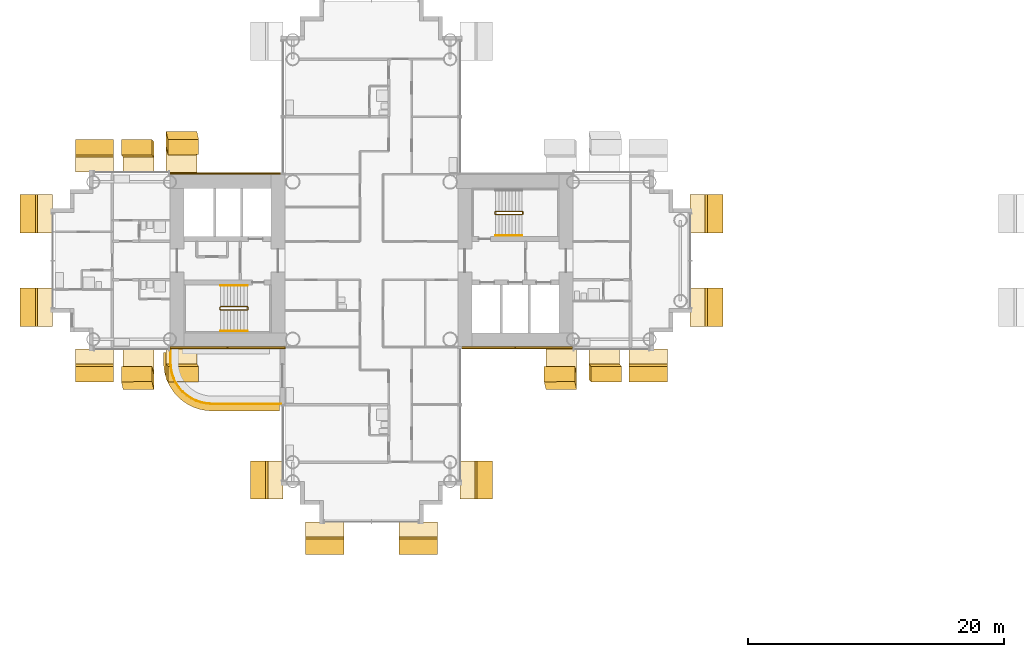
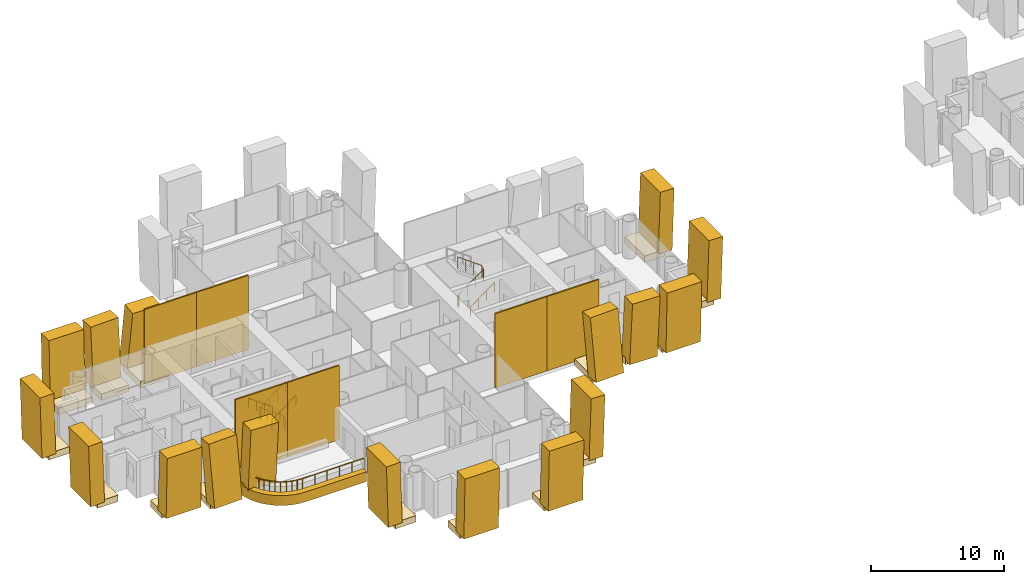
# One storey, part 22 of 25: 41 coverings, 6 railings.
"""IFC4 building model written with IfcOpenShell, lengths in metres."""

import ifcopenshell
import ifcopenshell.guid

model = None  # the IFC model being written
_history = None  # IfcOwnerHistory: only IFC2X3 demands one
_inside = {}  # id of a spatial element -> (the spatial element, [elements in it])
_under = {}  # id of a project, library or spatial element -> (it, [spatial elements below it])
_declared = {}  # id of a project -> (the project, [libraries it declares])
_typed = {}  # id of a type object -> (the type object, [elements of that type])
_made_of = {}  # id of a material, layer set ... -> (it, [elements and type objects made of it])


def new_model(schema):
    """Start an empty IFC model of exactly this schema.

    Asked for "IFC4X3", IfcOpenShell would pick the latest addendum, in which some entities
    have other attributes; the version numbers below select the first issue.
    IFC2X3 requires an IfcOwnerHistory on every rooted entity: one is made here for all.
    """
    global model, _history
    if schema == "IFC4X3":
        model = ifcopenshell.file(schema_version=(4, 3, 0, 0))
    else:
        model = ifcopenshell.file(schema=schema)
    _inside.clear()
    _under.clear()
    _declared.clear()
    _typed.clear()
    _made_of.clear()
    _history = None
    if model.schema == "IFC2X3":
        org = make("IfcOrganization", Name="unknown")
        user = make(
            "IfcPersonAndOrganization",
            ThePerson=make("IfcPerson", FamilyName="unknown"),
            TheOrganization=org,
        )
        app = make(
            "IfcApplication",
            ApplicationDeveloper=org,
            Version="unknown",
            ApplicationFullName="unknown",
            ApplicationIdentifier="unknown",
        )
        _history = make(
            "IfcOwnerHistory",
            OwningUser=user,
            OwningApplication=app,
            ChangeAction="ADDED",
            CreationDate=0,
        )
    return model


def make(cls, **values):
    """One entity of the class cls with the attributes given. An attribute that is None is left unset."""
    return model.create_entity(
        cls, **{name: value for name, value in values.items() if value is not None}
    )


def rooted(cls, **values):
    """An entity with a GlobalId (a new one), such as an element, a storey or a relation."""
    return make(cls, GlobalId=ifcopenshell.guid.new(), OwnerHistory=_history, **values)


def si_unit(unit_type, name, prefix=None):
    """IfcSIUnit, for example si_unit("LENGTHUNIT", "METRE", prefix="MILLI")."""
    return make("IfcSIUnit", UnitType=unit_type, Prefix=prefix, Name=name)


def assignment(units):
    """IfcUnitAssignment: the units of a project."""
    return None if units is None else make("IfcUnitAssignment", Units=units)


def point(xyz):
    """IfcCartesianPoint."""
    return None if xyz is None else make("IfcCartesianPoint", Coordinates=xyz)


def direction(xyz):
    """IfcDirection."""
    return None if xyz is None else make("IfcDirection", DirectionRatios=xyz)


def frame(location, z_axis=None, x_axis=None):
    """IfcAxis2Placement3D, a coordinate frame: its origin and axes. An axis left out is left unset."""
    return make(
        "IfcAxis2Placement3D",
        Location=point(location),
        Axis=direction(z_axis),
        RefDirection=direction(x_axis),
    )


def frame_2d(location, x_axis=None):
    """IfcAxis2Placement2D, a coordinate frame in the plane: its origin and x axis."""
    return make(
        "IfcAxis2Placement2D", Location=point(location), RefDirection=direction(x_axis)
    )


def origin():
    """The frame at (0, 0, 0) with its axes left unset."""
    return frame((0.0, 0.0, 0.0))


def origin_2d():
    """The frame at (0, 0) in the plane with its x axis left unset."""
    return frame_2d((0.0, 0.0))


def place(relative_to, where):
    """IfcLocalPlacement: puts the frame where relative to a parent placement (None: the world)."""
    return make(
        "IfcLocalPlacement", PlacementRelTo=relative_to, RelativePlacement=where
    )


def context(
    kind, dimensions, precision=None, world=None, true_north=None, identifier=None
):
    """IfcGeometricRepresentationContext, for example the 3D "Model" context."""
    return make(
        "IfcGeometricRepresentationContext",
        ContextIdentifier=identifier,
        ContextType=kind,
        CoordinateSpaceDimension=dimensions,
        Precision=precision,
        WorldCoordinateSystem=world,
        TrueNorth=true_north,
    )


def subcontext(parent, identifier, kind, view, scale=None):
    """IfcGeometricRepresentationSubContext, for example "Body" below "Model"."""
    return make(
        "IfcGeometricRepresentationSubContext",
        ContextIdentifier=identifier,
        ContextType=kind,
        ParentContext=parent,
        TargetScale=scale,
        TargetView=view,
    )


def project(units=None, contexts=None):
    """IfcProject with its units and contexts."""
    return rooted(
        "IfcProject",
        Name="project",
        RepresentationContexts=contexts,
        UnitsInContext=assignment(units),
    )


def spatial(cls, under=None, at=None, **own):
    """A site, building, storey or space (cls), placed at a placement, below another one or the project."""
    s = rooted(cls, ObjectPlacement=at, **own)
    if under is not None:
        _under.setdefault(under.id(), (under, []))[1].append(s)
    return s


def polyline(points):
    """IfcPolyline through the points."""
    return make("IfcPolyline", Points=[point(p) for p in points])


def profile(cls, at=None, kind="AREA", **sizes):
    """A parametric profile (cls). Its sizes go by their IFC names, for example OverallWidth=200.0."""
    return make(cls, ProfileType=kind, Position=at, **sizes)


def rectangle(**sizes):
    """IfcRectangleProfileDef."""
    return profile("IfcRectangleProfileDef", **sizes)


def circle(**sizes):
    """IfcCircleProfileDef."""
    return profile("IfcCircleProfileDef", **sizes)


def outline(outer, holes=None, kind="AREA"):
    """IfcArbitraryClosedProfileDef: a profile drawn as a closed curve; with holes, ...WithVoids."""
    if holes is None:
        return make("IfcArbitraryClosedProfileDef", ProfileType=kind, OuterCurve=outer)
    return make(
        "IfcArbitraryProfileDefWithVoids",
        ProfileType=kind,
        OuterCurve=outer,
        InnerCurves=holes,
    )


def extrude(swept, where, along, depth):
    """IfcExtrudedAreaSolid: the profile swept, set in the frame where, extruded along a direction by depth."""
    return make(
        "IfcExtrudedAreaSolid",
        SweptArea=swept,
        Position=where,
        ExtrudedDirection=direction(along),
        Depth=depth,
    )


def shape(context_of_items, identifier, shape_type, items):
    """IfcShapeRepresentation: the items that make up one representation, for example the "Body"."""
    return make(
        "IfcShapeRepresentation",
        ContextOfItems=context_of_items,
        RepresentationIdentifier=identifier,
        RepresentationType=shape_type,
        Items=items,
    )


def material(Name=None, Category=None):
    """IfcMaterial."""
    return make("IfcMaterial", Name=Name, Category=Category)


def layer(
    of_material, thickness, ventilated=None, Name=None, Category=None, Priority=None
):
    """IfcMaterialLayer: one layer of a wall or slab, of a material (None: an air gap)."""
    return make(
        "IfcMaterialLayer",
        Material=of_material,
        LayerThickness=thickness,
        IsVentilated=ventilated,
        Name=Name,
        Category=Category,
        Priority=Priority,
    )


def layer_set(layers, Name=None):
    """IfcMaterialLayerSet."""
    return make("IfcMaterialLayerSet", MaterialLayers=layers, LayerSetName=Name)


def material_profile(
    of_material, cross_section, Name=None, Category=None, Priority=None
):
    """IfcMaterialProfile: a cross section and its material."""
    return make(
        "IfcMaterialProfile",
        Name=Name,
        Material=of_material,
        Profile=cross_section,
        Priority=Priority,
        Category=Category,
    )


def profile_set(profiles, Name=None, composite=None):
    """IfcMaterialProfileSet."""
    return make(
        "IfcMaterialProfileSet",
        Name=Name,
        MaterialProfiles=profiles,
        CompositeProfile=composite,
    )


def made_of(thing, what):
    """Note that an element or type object is made of a material, layer set ...; save() writes the relation."""
    if what is not None:
        _made_of.setdefault(what.id(), (what, []))[1].append(thing)
    return thing


def type_object(cls, material=None, **own):
    """A type object (cls), such as IfcWallType, which elements share."""
    return made_of(rooted(cls, **own), material)


def element(
    cls,
    number,
    at=None,
    inside=None,
    cuts=None,
    type_object=None,
    material=None,
    context=None,
    identifier="Body",
    shape_type=None,
    held_by="IfcProductDefinitionShape",
    body=None,
    shapes=None,
    **own,
):
    """One element of the class cls, such as IfcWall. Its Tag is "e" and its number.

    at: its placement. inside: the storey or other place that contains it. cuts: it is an
    opening in that element (IfcRelVoidsElement). A single representation is given by context,
    identifier, shape_type and body (its items); several are given by shapes. held_by: the class
    of the entity that holds the representations. save() writes the other relations.
    """
    e = rooted(cls, Tag="e%d" % number, ObjectPlacement=at, **own)
    if body is not None:
        shapes = [shape(context, identifier, shape_type, body)]
    if shapes is not None:
        e.Representation = make(held_by, Representations=shapes)
    if inside is not None:
        _inside.setdefault(inside.id(), (inside, []))[1].append(e)
    if cuts is not None:
        rooted(
            "IfcRelVoidsElement", RelatingBuildingElement=cuts, RelatedOpeningElement=e
        )
    if type_object is not None:
        _typed.setdefault(type_object.id(), (type_object, []))[1].append(e)
    return made_of(e, material)


def aggregate(whole, parts):
    """IfcRelAggregates: a whole, such as a stair, and the parts it consists of."""
    return rooted("IfcRelAggregates", RelatingObject=whole, RelatedObjects=parts)


def save(model, path):
    """Write the relations noted so far, then the file.

    IfcRelAggregates (storeys below a building ...), IfcRelContainedInSpatialStructure (elements
    in a storey), IfcRelDefinesByType, IfcRelAssociatesMaterial and IfcRelDeclares: one each for
    every whole, place, type object, material and project.
    """
    for whole, parts in _under.values():
        aggregate(whole, parts)
    for where, things in _inside.values():
        rooted(
            "IfcRelContainedInSpatialStructure",
            RelatedElements=things,
            RelatingStructure=where,
        )
    for kind, things in _typed.values():
        rooted("IfcRelDefinesByType", RelatedObjects=things, RelatingType=kind)
    for what, things in _made_of.values():
        rooted("IfcRelAssociatesMaterial", RelatedObjects=things, RelatingMaterial=what)
    for by, libraries in _declared.values():
        rooted("IfcRelDeclares", RelatingContext=by, RelatedDefinitions=libraries)
    model.write(path)


model = new_model("IFC4")

# Units and contexts
model_context = context("Model", 3, precision=1e-05, world=origin(), true_north=direction((0.0, 1.0)))
body_context = subcontext(model_context, "Body", "Model", "MODEL_VIEW")
ifc_project = project(units=[si_unit("LENGTHUNIT", "METRE"), si_unit("AREAUNIT", "SQUARE_METRE"), si_unit("VOLUMEUNIT", "CUBIC_METRE"), si_unit("PLANEANGLEUNIT", "RADIAN"), si_unit("MASSUNIT", "GRAM", prefix="KILO")], contexts=[model_context])

# Site, building, storey
site_placement = place(None, origin())
site = spatial("IfcSite", under=ifc_project, at=site_placement, CompositionType="ELEMENT")
building_placement = place(site_placement, origin())
building = spatial("IfcBuilding", under=site, at=building_placement, Name="Ipe Terrace Towers", CompositionType="ELEMENT")
storey_placement = place(building_placement, frame((0.0, 0.0, 65.300048828125)))
storey = spatial("IfcBuildingStorey", under=building, at=storey_placement, Name="L17", CompositionType="ELEMENT", Elevation=65.300048828125)

# Railing
ifc_material_1 = material(Name="Stainless steel S316", Category="steel")
railing_type_1 = type_object("IfcRailingType", Name="GUARD 1100", PredefinedType="BALUSTRADE", material=ifc_material_1)
railing_1_placement = place(storey_placement, frame((-51.699951171875, -7.070068359375, -0.02001953125)))
element("IfcRailing", 1, at=railing_1_placement, inside=storey, type_object=railing_type_1, Name="guard", PredefinedType="BALUSTRADE", context=body_context, shape_type="SweptSolid", body=[
    extrude(circle(Radius=0.02392578125, at=origin_2d()), frame((0.0, 0.0, 1.076171875), z_axis=(0.0, -1.0, 0.0), x_axis=(1.0, 0.0, 0.0)), (0.0, 0.0, 1.0), 0.8779296875),
    extrude(circle(Radius=0.02392578125, at=origin_2d()), frame((0.0, -0.8779296875, 1.076171875), z_axis=(0.065190546171, -0.997872833927, 0.0), x_axis=(0.997872833927, 0.065190546171, 0.0)), (0.0, 0.0, 1.0), 0.427001953125),
    extrude(circle(Radius=0.02392578125, at=origin_2d()), frame((0.02783203125, -1.303955078125, 1.076171875), z_axis=(0.195232649896, -0.980756958892, 0.0), x_axis=(0.980756958892, 0.195232649896, 0.0)), (0.0, 0.0, 1.0), 0.42529296875),
    extrude(circle(Radius=0.02392578125, at=origin_2d()), frame((0.11083984375, -1.720947265625, 1.076171875), z_axis=(0.320184280026, -0.947355280148, 0.0), x_axis=(0.947355280148, 0.320184280026, 0.0)), (0.0, 0.0, 1.0), 0.425537109375),
    extrude(circle(Radius=0.02392578125, at=origin_2d()), frame((0.2470703125, -2.1240234375, 1.076171875), z_axis=(0.444455160923, -0.895801099535, 0.0), x_axis=(0.895801099535, 0.444455160923, 0.0)), (0.0, 0.0, 1.0), 0.425048828125),
    extrude(circle(Radius=0.02392578125, at=origin_2d()), frame((0.43603515625, -2.5048828125, 1.076171875), z_axis=(0.55549616226, -0.83151910003, 0.0), x_axis=(0.83151910003, 0.55549616226, 0.0)), (0.0, 0.0, 1.0), 0.424560546875),
    extrude(circle(Radius=0.02392578125, at=origin_2d()), frame((0.671875, -2.85791015625, 1.076171875), z_axis=(0.658463964434, -0.752612255774, 0.0), x_axis=(0.752612255774, 0.658463964434, 0.0)), (0.0, 0.0, 1.0), 0.42529296875),
    extrude(circle(Radius=0.02392578125, at=origin_2d()), frame((0.951904296875, -3.177978515625, 1.076171875), z_axis=(0.752612255774, -0.658463964434, 0.0), x_axis=(0.658463964434, 0.752612255774, 0.0)), (0.0, 0.0, 1.0), 0.42529296875),
    extrude(circle(Radius=0.02392578125, at=origin_2d()), frame((1.27197265625, -3.4580078125, 1.076171875), z_axis=(0.83151910003, -0.55549616226, 0.0), x_axis=(0.55549616226, 0.83151910003, 0.0)), (0.0, 0.0, 1.0), 0.424560546875),
    extrude(circle(Radius=0.02392578125, at=origin_2d()), frame((1.625, -3.69384765625, 1.076171875), z_axis=(0.895801099535, -0.444455160923, 0.0), x_axis=(0.444455160923, 0.895801099535, 0.0)), (0.0, 0.0, 1.0), 0.425048828125),
    extrude(circle(Radius=0.02392578125, at=origin_2d()), frame((2.005859375, -3.8828125, 1.076171875), z_axis=(0.947355280148, -0.320184280026, 0.0), x_axis=(0.320184280026, 0.947355280148, 0.0)), (0.0, 0.0, 1.0), 0.425537109375),
    extrude(circle(Radius=0.02392578125, at=origin_2d()), frame((2.408935546875, -4.01904296875, 1.076171875), z_axis=(0.980756958892, -0.195232649896, 0.0), x_axis=(0.195232649896, 0.980756958892, 0.0)), (0.0, 0.0, 1.0), 0.42529296875),
    extrude(circle(Radius=0.02392578125, at=origin_2d()), frame((2.825927734375, -4.10205078125, 1.076171875), z_axis=(0.997872833927, -0.065190546171, 0.0), x_axis=(0.065190546171, 0.997872833927, 0.0)), (0.0, 0.0, 1.0), 0.427001953125),
    extrude(circle(Radius=0.02392578125, at=origin_2d()), frame((3.251953125, -4.1298828125, 1.076171875), z_axis=(1.0, 0.0, 0.0), x_axis=(0.0, 1.0, 0.0)), (0.0, 0.0, 1.0), 5.3779296875),
    extrude(circle(Radius=0.02099609375, at=origin_2d()), origin(), (0.0, 0.0, 1.0), 1.052001953125),
    extrude(circle(Radius=0.02099609375, at=origin_2d()), frame((0.0, -0.8779296875, 0.0)), (0.0, 0.0, 1.0), 1.052001953125),
    extrude(circle(Radius=0.02099609375, at=origin_2d()), frame((0.02783203125, -1.303955078125, 0.0)), (0.0, 0.0, 1.0), 1.052001953125),
    extrude(circle(Radius=0.02099609375, at=origin_2d()), frame((0.11083984375, -1.720947265625, 0.0)), (0.0, 0.0, 1.0), 1.052001953125),
    extrude(circle(Radius=0.02099609375, at=origin_2d()), frame((0.2470703125, -2.1240234375, 0.0)), (0.0, 0.0, 1.0), 1.052001953125),
    extrude(circle(Radius=0.02099609375, at=origin_2d()), frame((0.43603515625, -2.5048828125, 0.0)), (0.0, 0.0, 1.0), 1.052001953125),
    extrude(circle(Radius=0.02099609375, at=origin_2d()), frame((0.671875, -2.85791015625, 0.0)), (0.0, 0.0, 1.0), 1.052001953125),
    extrude(circle(Radius=0.02099609375, at=origin_2d()), frame((0.951904296875, -3.177978515625, 0.0)), (0.0, 0.0, 1.0), 1.052001953125),
    extrude(circle(Radius=0.02099609375, at=origin_2d()), frame((1.27197265625, -3.4580078125, 0.0)), (0.0, 0.0, 1.0), 1.052001953125),
    extrude(circle(Radius=0.02099609375, at=origin_2d()), frame((1.625, -3.69384765625, 0.0)), (0.0, 0.0, 1.0), 1.052001953125),
    extrude(circle(Radius=0.02099609375, at=origin_2d()), frame((2.005859375, -3.8828125, 0.0)), (0.0, 0.0, 1.0), 1.052001953125),
    extrude(circle(Radius=0.02099609375, at=origin_2d()), frame((2.408935546875, -4.01904296875, 0.0)), (0.0, 0.0, 1.0), 1.052001953125),
    extrude(circle(Radius=0.02099609375, at=origin_2d()), frame((2.825927734375, -4.10205078125, 0.0)), (0.0, 0.0, 1.0), 1.052001953125),
    extrude(circle(Radius=0.02099609375, at=origin_2d()), frame((3.251953125, -4.1298828125, 0.0)), (0.0, 0.0, 1.0), 1.052001953125),
    extrude(circle(Radius=0.02099609375, at=origin_2d()), frame((4.32763671875, -4.1298828125, 0.0)), (0.0, 0.0, 1.0), 1.052001953125),
    extrude(circle(Radius=0.02099609375, at=origin_2d()), frame((5.403076171875, -4.1298828125, 0.0)), (0.0, 0.0, 1.0), 1.052001953125),
    extrude(circle(Radius=0.02099609375, at=origin_2d()), frame((6.478759765625, -4.1298828125, 0.0)), (0.0, 0.0, 1.0), 1.052001953125),
    extrude(circle(Radius=0.02099609375, at=origin_2d()), frame((7.55419921875, -4.1298828125, 0.0)), (0.0, 0.0, 1.0), 1.052001953125),
    extrude(circle(Radius=0.02099609375, at=origin_2d()), frame((8.6298828125, -4.1298828125, 0.0)), (0.0, 0.0, 1.0), 1.052001953125),
])

# Coverings
ifc_material_2 = material(Name="Concrete C50/60 precast, buff finish", Category="concrete")
ifc_layer_1 = layer(ifc_material_2, 0.1201171875)
ifc_layer_set_1 = layer_set([ifc_layer_1], Name="STONE CORE CLADDING 120")
covering_type_1 = type_object("IfcCoveringType", Name="STONE CORE CLADDING 120", PredefinedType="CLADDING", material=ifc_layer_set_1)
covering_1_placement = place(storey_placement, frame((-49.5009765625, -6.81005859375, 0.0), z_axis=(0.0, 0.0, 1.0), x_axis=(1.0, 0.0, 0.0)))
element("IfcCovering", 2, at=covering_1_placement, inside=storey, type_object=covering_type_1, Name="stone core cladding", PredefinedType="CLADDING", context=body_context, shape_type="SweptSolid", body=[
    extrude(rectangle(XDim=4.5009765625, YDim=0.1201171875, at=origin_2d()), origin(), (0.0, 0.0, 1.0), 6.800048828125),
])
covering_2_placement = place(storey_placement, frame((-45.0, -6.81005859375, 0.0), z_axis=(0.0, 0.0, 1.0), x_axis=(1.0, 0.0, 0.0)))
element("IfcCovering", 3, at=covering_2_placement, inside=storey, type_object=covering_type_1, Name="stone core cladding", PredefinedType="CLADDING", context=body_context, shape_type="SweptSolid", body=[
    extrude(rectangle(XDim=4.5, YDim=0.1201171875, at=origin_2d()), origin(), (0.0, 0.0, 1.0), 6.800048828125),
])
covering_3_placement = place(storey_placement, frame((-49.5009765625, 6.81005859375, 0.0), z_axis=(0.0, 0.0, 1.0), x_axis=(-1.0, 0.0, 0.0)))
element("IfcCovering", 4, at=covering_3_placement, inside=storey, type_object=covering_type_1, Name="stone core cladding", PredefinedType="CLADDING", context=body_context, shape_type="SweptSolid", body=[
    extrude(rectangle(XDim=4.5009765625, YDim=0.1201171875, at=origin_2d()), origin(), (0.0, 0.0, 1.0), 6.800048828125),
])
for number, where, z_axis, x_axis, name in (
    (5, (-45.0, 6.81005859375, 0.0), (0.0, 0.0, 1.0), (-1.0, 0.0, 0.0), "stone core cladding"),
    (6, (-27.0, -6.81005859375, 0.0), (0.0, 0.0, 1.0), (1.0, 0.0, 0.0), "stone core cladding"),
):
    element("IfcCovering", number, at=place(storey_placement, frame(where, z_axis=z_axis, x_axis=x_axis)), inside=storey, type_object=covering_type_1, Name=name, PredefinedType="CLADDING", context=body_context, shape_type="SweptSolid", body=[
        extrude(rectangle(XDim=4.5, YDim=0.1201171875, at=origin_2d()), origin(), (0.0, 0.0, 1.0), 6.800048828125),
    ])
covering_4_placement = place(storey_placement, frame((-22.4990234375, -6.81005859375, 0.0), z_axis=(0.0, 0.0, 1.0), x_axis=(1.0, 0.0, 0.0)))
element("IfcCovering", 7, at=covering_4_placement, inside=storey, type_object=covering_type_1, Name="stone core cladding", PredefinedType="CLADDING", context=body_context, shape_type="SweptSolid", body=[
    extrude(rectangle(XDim=4.5009765625, YDim=0.1201171875, at=origin_2d()), origin(), (0.0, 0.0, 1.0), 6.800048828125),
])
ifc_material_3 = material(Name="Concrete C50/60 precast, buff finish", Category="concrete")
ifc_layer_2 = layer(ifc_material_3, 0.5)
ifc_layer_set_2 = layer_set([ifc_layer_2], Name="STONE EDGE BAND 500 x 900")
covering_type_2 = type_object("IfcCoveringType", Name="STONE EDGE BAND 500 x 900", PredefinedType="CLADDING", material=ifc_layer_set_2)
covering_5_placement = place(storey_placement, frame((0.0, 0.0, -0.719970703125)))
element("IfcCovering", 8, at=covering_5_placement, inside=storey, type_object=covering_type_2, Name="stone edge band", PredefinedType="CLADDING", context=body_context, shape_type="SweptSolid", body=[
    extrude(outline(polyline([(-48.449951171875, -11.75), (-43.199951171875, -11.75), (-43.199951171875, -11.25), (-48.449951171875, -11.25), (-48.881103515625, -11.221923828125), (-49.303955078125, -11.137939453125), (-49.712890625, -10.9990234375), (-50.10009765625, -10.80810546875), (-50.458984375, -10.568115234375), (-50.782958984375, -10.282958984375), (-51.068115234375, -9.958984375), (-51.30810546875, -9.60009765625), (-51.4990234375, -9.212890625), (-51.637939453125, -8.803955078125), (-51.721923828125, -8.381103515625), (-51.75, -7.949951171875), (-51.75, -7.199951171875), (-52.25, -7.199951171875), (-52.25, -7.949951171875), (-52.2490234375, -7.98291015625), (-52.220947265625, -8.4130859375), (-52.2119140625, -8.47802734375), (-52.1279296875, -8.902099609375), (-52.111083984375, -8.965087890625), (-51.971923828125, -9.3740234375), (-51.947021484375, -9.43408203125), (-51.756103515625, -9.821044921875), (-51.72412109375, -9.8779296875), (-51.48388671875, -10.237060546875), (-51.444091796875, -10.2890625), (-51.158935546875, -10.613037109375), (-51.113037109375, -10.658935546875), (-50.7890625, -10.944091796875), (-50.737060546875, -10.98388671875), (-50.3779296875, -11.22412109375), (-50.321044921875, -11.256103515625), (-49.93408203125, -11.447021484375), (-49.8740234375, -11.471923828125), (-49.465087890625, -11.611083984375), (-49.402099609375, -11.6279296875), (-48.97802734375, -11.7119140625), (-48.9130859375, -11.720947265625), (-48.48291015625, -11.7490234375), (-48.449951171875, -11.75)])), origin(), (0.0, 0.0, 1.0), 0.89990234375),
])
ifc_material_4 = material(Name="Concrete C50/60 precast, buff finish", Category="concrete")
ifc_material_profile_1 = material_profile(ifc_material_4, rectangle(XDim=2.39990234375, YDim=1.199951171875, at=origin_2d()), Name="STONE FIN 2400 x 1200")
ifc_profile_set_1 = profile_set([ifc_material_profile_1], Name="Concrete C50/60 precast, buff finish")
covering_type_3 = type_object("IfcCoveringType", Name="STONE FIN 2400 x 1200", PredefinedType="USERDEFINED", material=ifc_profile_set_1)
covering_6_placement = place(storey_placement, frame((-21.156005859375, -9.487060546875, 0.0), z_axis=(-0.025559578294, 0.109472973473, 0.993661097174), x_axis=(0.999673300612, 0.002798997469, 0.025405858689)))
element("IfcCovering", 9, at=covering_6_placement, inside=storey, type_object=covering_type_3, Name="stone fin", ObjectType="FIN", PredefinedType="USERDEFINED", context=body_context, shape_type="SweptSolid", body=[
    extrude(rectangle(XDim=2.39990234375, YDim=1.199951171875, at=origin_2d()), origin(), (0.0, 0.0, 1.0), 5.635498046875),
])
covering_7_placement = place(storey_placement, frame((-17.7939453125, -8.693115234375, 0.0), z_axis=(0.025701298827, -0.031582104491, 0.999170663057), x_axis=(0.999669667059, 0.000811969321, -0.025688469539)))
element("IfcCovering", 10, at=covering_7_placement, inside=storey, type_object=covering_type_3, Name="stone fin", ObjectType="FIN", PredefinedType="USERDEFINED", context=body_context, shape_type="SweptSolid", body=[
    extrude(rectangle(XDim=2.39990234375, YDim=1.199951171875, at=origin_2d()), origin(), (0.0, 0.0, 1.0), 5.6044921875),
])
covering_8_placement = place(storey_placement, frame((-54.2060546875, -9.487060546875, 0.0), z_axis=(-0.025559578294, 0.109472973473, 0.993661097174), x_axis=(0.999673300612, 0.002798997469, 0.025405858689)))
element("IfcCovering", 11, at=covering_8_placement, inside=storey, type_object=covering_type_3, Name="stone fin", ObjectType="FIN", PredefinedType="USERDEFINED", context=body_context, shape_type="SweptSolid", body=[
    extrude(rectangle(XDim=2.39990234375, YDim=1.199951171875, at=origin_2d()), origin(), (0.0, 0.0, 1.0), 5.635498046875),
])
for number, where, z_axis, x_axis, name in (
    (12, (-54.2060546875, 8.693115234375, 0.0), (-0.025701298827, 0.031582104491, 0.999170663057), (-0.999669667059, -0.000811969321, -0.025688469539), "stone fin"),
    (13, (-50.843994140625, -8.693115234375, 0.0), (0.025701298827, -0.031582104491, 0.999170663057), (0.999669667059, 0.000811969321, -0.025688469539), "stone fin"),
):
    element("IfcCovering", number, at=place(storey_placement, frame(where, z_axis=z_axis, x_axis=x_axis)), inside=storey, type_object=covering_type_3, Name=name, ObjectType="FIN", PredefinedType="USERDEFINED", context=body_context, shape_type="SweptSolid", body=[
        extrude(rectangle(XDim=2.39990234375, YDim=1.199951171875, at=origin_2d()), origin(), (0.0, 0.0, 1.0), 5.6044921875),
    ])
covering_9_placement = place(storey_placement, frame((-50.843994140625, 9.487060546875, 0.0), z_axis=(0.025559578294, -0.109472973473, 0.993661097174), x_axis=(-0.999673300612, -0.002798997469, 0.025405858689)))
element("IfcCovering", 14, at=covering_9_placement, inside=storey, type_object=covering_type_3, Name="stone fin", ObjectType="FIN", PredefinedType="USERDEFINED", context=body_context, shape_type="SweptSolid", body=[
    extrude(rectangle(XDim=2.39990234375, YDim=1.199951171875, at=origin_2d()), origin(), (0.0, 0.0, 1.0), 5.635498046875),
])
ifc_material_5 = material(Name="Concrete C50/60 precast, buff finish", Category="concrete")
ifc_material_profile_2 = material_profile(ifc_material_5, rectangle(XDim=3.0, YDim=1.199951171875, at=origin_2d()), Name="STONE FIN CORNER 3000 x 1200")
ifc_profile_set_2 = profile_set([ifc_material_profile_2], Name="Concrete C50/60 precast, buff finish")
covering_type_4 = type_object("IfcCoveringType", Name="STONE FIN CORNER 3000 x 1200", PredefinedType="USERDEFINED", material=ifc_profile_set_2)
for number, where, z_axis, x_axis, name in (
    (15, (-9.306884765625, -3.64990234375, 0.0), (0.031592540548, 0.0, 0.999500831106), (0.0, 1.0, 0.0), "stone fin"),
    (16, (-9.306884765625, 3.64990234375, 0.0), (0.031592540548, 0.0, 0.999500831106), (0.0, 1.0, 0.0), "stone fin"),
    (17, (-14.35009765625, -8.693115234375, 0.0), (0.0, -0.031592540548, 0.999500831106), (1.0, 0.0, 0.0), "stone fin"),
    (18, (-27.306884765625, -17.14990234375, 0.0), (0.031592540548, 0.0, 0.999500831106), (0.0, 1.0, 0.0), "stone fin"),
    (19, (-32.35009765625, -22.193115234375, 0.0), (0.0, -0.031592540548, 0.999500831106), (1.0, 0.0, 0.0), "stone fin"),
    (20, (-39.64990234375, -22.193115234375, 0.0), (0.0, -0.031592540548, 0.999500831106), (1.0, 0.0, 0.0), "stone fin"),
    (21, (-44.693115234375, -17.14990234375, 0.0), (-0.031592540548, 0.0, 0.999500831106), (0.0, -1.0, 0.0), "stone fin"),
    (22, (-57.64990234375, -8.693115234375, 0.0), (0.0, -0.031592540548, 0.999500831106), (1.0, 0.0, 0.0), "stone fin"),
    (23, (-57.64990234375, 8.693115234375, 0.0), (0.0, 0.031592540548, 0.999500831106), (-1.0, 0.0, 0.0), "stone fin"),
    (24, (-62.693115234375, -3.64990234375, 0.0), (-0.031592540548, 0.0, 0.999500831106), (0.0, -1.0, 0.0), "stone fin"),
    (25, (-62.693115234375, 3.64990234375, 0.0), (-0.031592540548, 0.0, 0.999500831106), (0.0, -1.0, 0.0), "stone fin"),
):
    element("IfcCovering", number, at=place(storey_placement, frame(where, z_axis=z_axis, x_axis=x_axis)), inside=storey, type_object=covering_type_4, Name=name, ObjectType="FIN", PredefinedType="USERDEFINED", context=body_context, shape_type="SweptSolid", body=[
        extrude(rectangle(XDim=3.0, YDim=1.199951171875, at=origin_2d()), origin(), (0.0, 0.0, 1.0), 5.6025390625),
    ])
ifc_material_6 = material(Name="Concrete C50/60 precast, buff finish", Category="concrete")
covering_type_5 = type_object("IfcCoveringType", Name="STONE FIN SHELF 2400 x 600", PredefinedType="CLADDING", material=ifc_material_6)
covering_10_placement = place(storey_placement, frame((-21.156005859375, -8.174072265625, -0.35009765625), z_axis=(0.0, 0.0, 1.0), x_axis=(1.0, 0.0, 0.0)))
element("IfcCovering", 26, at=covering_10_placement, inside=storey, type_object=covering_type_5, Name="stone fin shelf", PredefinedType="CLADDING", context=body_context, shape_type="SweptSolid", body=[
    extrude(rectangle(XDim=2.39990234375, YDim=2.626953125, at=origin_2d()), origin(), (0.0, 0.0, 1.0), 0.60009765625),
])
covering_11_placement = place(storey_placement, frame((-17.7939453125, -7.803955078125, -0.35009765625), z_axis=(0.0, 0.0, 1.0), x_axis=(1.0, 0.0, 0.0)))
element("IfcCovering", 27, at=covering_11_placement, inside=storey, type_object=covering_type_5, Name="stone fin shelf", PredefinedType="CLADDING", context=body_context, shape_type="SweptSolid", body=[
    extrude(rectangle(XDim=2.39990234375, YDim=1.777099609375, at=origin_2d()), origin(), (0.0, 0.0, 1.0), 0.60009765625),
])
covering_12_placement = place(storey_placement, frame((-54.2060546875, -8.200927734375, -0.35009765625), z_axis=(0.0, 0.0, 1.0), x_axis=(1.0, 0.0, 0.0)))
element("IfcCovering", 28, at=covering_12_placement, inside=storey, type_object=covering_type_5, Name="stone fin shelf", PredefinedType="CLADDING", context=body_context, shape_type="SweptSolid", body=[
    extrude(rectangle(XDim=2.39990234375, YDim=2.571044921875, at=origin_2d()), origin(), (0.0, 0.0, 1.0), 0.60009765625),
])
covering_13_placement = place(storey_placement, frame((-54.2060546875, 7.803955078125, -0.35009765625), z_axis=(0.0, 0.0, 1.0), x_axis=(-1.0, 0.0, 0.0)))
element("IfcCovering", 29, at=covering_13_placement, inside=storey, type_object=covering_type_5, Name="stone fin shelf", PredefinedType="CLADDING", context=body_context, shape_type="SweptSolid", body=[
    extrude(rectangle(XDim=2.39990234375, YDim=1.777099609375, at=origin_2d()), origin(), (0.0, 0.0, 1.0), 0.60009765625),
])
covering_14_placement = place(storey_placement, frame((-50.843994140625, -7.77587890625, -0.35009765625), z_axis=(0.0, 0.0, 1.0), x_axis=(1.0, 0.0, 0.0)))
element("IfcCovering", 30, at=covering_14_placement, inside=storey, type_object=covering_type_5, Name="stone fin shelf", PredefinedType="CLADDING", context=body_context, shape_type="SweptSolid", body=[
    extrude(rectangle(XDim=2.39990234375, YDim=1.8330078125, at=origin_2d()), origin(), (0.0, 0.0, 1.0), 0.60009765625),
])
covering_15_placement = place(storey_placement, frame((-50.843994140625, 8.174072265625, -0.35009765625), z_axis=(0.0, 0.0, 1.0), x_axis=(-1.0, 0.0, 0.0)))
element("IfcCovering", 31, at=covering_15_placement, inside=storey, type_object=covering_type_5, Name="stone fin shelf", PredefinedType="CLADDING", context=body_context, shape_type="SweptSolid", body=[
    extrude(rectangle(XDim=2.39990234375, YDim=2.626953125, at=origin_2d()), origin(), (0.0, 0.0, 1.0), 0.60009765625),
])
ifc_material_7 = material(Name="Concrete C50/60 precast, buff finish", Category="concrete")
covering_type_6 = type_object("IfcCoveringType", Name="STONE FIN SHELF 3000 x 600", PredefinedType="CLADDING", material=ifc_material_7)
for number, where, z_axis, x_axis, name in (
    (32, (-10.196044921875, -3.64990234375, -0.35009765625), (0.0, 0.0, 1.0), (0.0, 1.0, 0.0), "stone fin shelf"),
    (33, (-10.196044921875, 3.64990234375, -0.35009765625), (0.0, 0.0, 1.0), (0.0, 1.0, 0.0), "stone fin shelf"),
    (34, (-14.35009765625, -7.803955078125, -0.35009765625), (0.0, 0.0, 1.0), (1.0, 0.0, 0.0), "stone fin shelf"),
    (35, (-28.195068359375, -17.14990234375, -0.35009765625), (0.0, 0.0, 1.0), (0.0, 1.0, 0.0), "stone fin shelf"),
    (36, (-32.35009765625, -21.304931640625, -0.35009765625), (0.0, 0.0, 1.0), (1.0, 0.0, 0.0), "stone fin shelf"),
    (37, (-39.64990234375, -21.304931640625, -0.35009765625), (0.0, 0.0, 1.0), (1.0, 0.0, 0.0), "stone fin shelf"),
    (38, (-43.803955078125, -17.14990234375, -0.35009765625), (0.0, 0.0, 1.0), (0.0, -1.0, 0.0), "stone fin shelf"),
    (39, (-57.64990234375, -7.803955078125, -0.35009765625), (0.0, 0.0, 1.0), (1.0, 0.0, 0.0), "stone fin shelf"),
    (40, (-57.64990234375, 7.803955078125, -0.35009765625), (0.0, 0.0, 1.0), (-1.0, 0.0, 0.0), "stone fin shelf"),
    (41, (-61.803955078125, -3.64990234375, -0.35009765625), (0.0, 0.0, 1.0), (0.0, -1.0, 0.0), "stone fin shelf"),
    (42, (-61.803955078125, 3.64990234375, -0.35009765625), (0.0, 0.0, 1.0), (0.0, -1.0, 0.0), "stone fin shelf"),
):
    element("IfcCovering", number, at=place(storey_placement, frame(where, z_axis=z_axis, x_axis=x_axis)), inside=storey, type_object=covering_type_6, Name=name, PredefinedType="CLADDING", context=body_context, shape_type="SweptSolid", body=[
        extrude(rectangle(XDim=3.0, YDim=1.777099609375, at=origin_2d()), origin(), (0.0, 0.0, 1.0), 0.60009765625),
    ])

# Railings
ifc_material_8 = material(Name="Steel S355", Category="steel")
railing_type_2 = type_object("IfcRailingType", Name="Stair guard 1100", PredefinedType="GUARDRAIL", material=ifc_material_8)
railing_2_placement = place(storey_placement, frame((-26.35009765625, 3.800048828125, 0.0)))
element("IfcRailing", 43, at=railing_2_placement, inside=storey, type_object=railing_type_2, Name="L17 T1-ST1 stair guard 1", PredefinedType="GUARDRAIL", context=body_context, shape_type="SweptSolid", body=[
    extrude(circle(Radius=0.02392578125, at=origin_2d()), frame((0.0, 0.0, 1.076171875), z_axis=(0.0, -1.0, 0.0), x_axis=(1.0, 0.0, 0.0)), (0.0, 0.0, 1.0), 0.150146484375),
    extrude(circle(Radius=0.02392578125, at=origin_2d()), frame((0.0, -0.150146484375, 1.076171875), z_axis=(0.248385422981, -0.247173786771, 0.936594790069), x_axis=(0.705375805398, 0.708833529934, 0.0)), (0.0, 0.0, 1.0), 0.201416015625),
    extrude(circle(Radius=0.02392578125, at=origin_2d()), frame((0.050048828125, -0.199951171875, 1.2646484375), z_axis=(0.809023421508, 0.0, 0.587776406001), x_axis=(0.0, 1.0, 0.0)), (0.0, 0.0, 1.0), 2.571044921875),
    extrude(circle(Radius=0.02392578125, at=origin_2d()), frame((2.130126953125, -0.199951171875, 2.77587890625), z_axis=(0.708833529934, 0.705375805398, 0.0), x_axis=(-0.705375805398, 0.708833529934, 0.0)), (0.0, 0.0, 1.0), 0.070556640625),
    extrude(circle(Radius=0.02392578125, at=origin_2d()), frame((2.18017578125, -0.150146484375, 2.77587890625), z_axis=(0.0, 1.0, 0.0), x_axis=(-1.0, 0.0, 0.0)), (0.0, 0.0, 1.0), 0.150146484375),
    extrude(circle(Radius=0.02392578125, at=origin_2d()), frame((2.18017578125, 0.0, 2.77587890625), z_axis=(-0.248029566107, 0.248029566107, 0.936462849596), x_axis=(-0.707106781187, -0.707106781187, 0.0)), (0.0, 0.0, 1.0), 0.201904296875),
    extrude(circle(Radius=0.02392578125, at=origin_2d()), frame((2.130126953125, 0.050048828125, 2.96484375), z_axis=(-0.809068575486, 0.0, 0.587714250432), x_axis=(0.0, -1.0, 0.0)), (0.0, 0.0, 1.0), 2.571044921875),
    extrude(circle(Radius=0.02099609375, at=origin_2d()), origin(), (0.0, 0.0, 1.0), 1.052001953125),
    extrude(circle(Radius=0.02099609375, at=origin_2d()), frame((0.0, -0.150146484375, 0.0)), (0.0, 0.0, 1.0), 1.052001953125),
    extrude(circle(Radius=0.02099609375, at=origin_2d()), frame((0.050048828125, -0.199951171875, 0.188720703125)), (0.0, 0.0, 1.0), 1.052001953125),
    extrude(circle(Radius=0.02099609375, at=origin_2d()), frame((0.743408203125, -0.199951171875, 0.6923828125)), (0.0, 0.0, 1.0), 1.052001953125),
    extrude(circle(Radius=0.02099609375, at=origin_2d()), frame((1.436767578125, -0.199951171875, 1.1962890625)), (0.0, 0.0, 1.0), 1.052001953125),
    extrude(circle(Radius=0.02099609375, at=origin_2d()), frame((2.130126953125, -0.199951171875, 1.699951171875)), (0.0, 0.0, 1.0), 1.052001953125),
    extrude(circle(Radius=0.02099609375, at=origin_2d()), frame((2.18017578125, -0.150146484375, 1.699951171875)), (0.0, 0.0, 1.0), 1.052001953125),
    extrude(circle(Radius=0.02099609375, at=origin_2d()), frame((2.18017578125, 0.0, 1.699951171875)), (0.0, 0.0, 1.0), 1.052001953125),
    extrude(circle(Radius=0.02099609375, at=origin_2d()), frame((2.130126953125, 0.050048828125, 1.888916015625)), (0.0, 0.0, 1.0), 1.052001953125),
    extrude(circle(Radius=0.02099609375, at=origin_2d()), frame((1.436767578125, 0.050048828125, 2.392578125)), (0.0, 0.0, 1.0), 1.052001953125),
    extrude(circle(Radius=0.02099609375, at=origin_2d()), frame((0.743408203125, 0.050048828125, 2.896240234375)), (0.0, 0.0, 1.0), 1.052001953125),
    extrude(circle(Radius=0.02099609375, at=origin_2d()), frame((0.050048828125, 0.050048828125, 3.39990234375)), (0.0, 0.0, 1.0), 1.052001953125),
])
railing_3_placement = place(storey_placement, frame((-45.64990234375, -3.800048828125, 0.0)))
element("IfcRailing", 44, at=railing_3_placement, inside=storey, type_object=railing_type_2, Name="L17 T1-ST2 stair guard 1", PredefinedType="GUARDRAIL", context=body_context, shape_type="SweptSolid", body=[
    extrude(circle(Radius=0.02392578125, at=origin_2d()), frame((0.0, 0.0, 1.076171875), z_axis=(0.0, 1.0, 0.0), x_axis=(-1.0, 0.0, 0.0)), (0.0, 0.0, 1.0), 0.150146484375),
    extrude(circle(Radius=0.02392578125, at=origin_2d()), frame((0.0, 0.150146484375, 1.076171875), z_axis=(-0.248385422981, 0.247173786771, 0.936594790069), x_axis=(-0.705375805398, -0.708833529934, 0.0)), (0.0, 0.0, 1.0), 0.201416015625),
    extrude(circle(Radius=0.02392578125, at=origin_2d()), frame((-0.050048828125, 0.199951171875, 1.2646484375), z_axis=(-0.809023421508, 0.0, 0.587776406001), x_axis=(0.0, -1.0, 0.0)), (0.0, 0.0, 1.0), 2.571044921875),
    extrude(circle(Radius=0.02392578125, at=origin_2d()), frame((-2.130126953125, 0.199951171875, 2.77587890625), z_axis=(-0.708833529934, -0.705375805398, 0.0), x_axis=(0.705375805398, -0.708833529934, 0.0)), (0.0, 0.0, 1.0), 0.070556640625),
    extrude(circle(Radius=0.02392578125, at=origin_2d()), frame((-2.18017578125, 0.150146484375, 2.77587890625), z_axis=(0.0, -1.0, 0.0), x_axis=(1.0, 0.0, 0.0)), (0.0, 0.0, 1.0), 0.150146484375),
    extrude(circle(Radius=0.02392578125, at=origin_2d()), frame((-2.18017578125, 0.0, 2.77587890625), z_axis=(0.248029566107, -0.248029566107, 0.936462849596), x_axis=(0.707106781187, 0.707106781187, 0.0)), (0.0, 0.0, 1.0), 0.201904296875),
    extrude(circle(Radius=0.02392578125, at=origin_2d()), frame((-2.130126953125, -0.050048828125, 2.96484375), z_axis=(0.809068575486, 0.0, 0.587714250432), x_axis=(0.0, 1.0, 0.0)), (0.0, 0.0, 1.0), 2.571044921875),
    extrude(circle(Radius=0.02099609375, at=origin_2d()), origin(), (0.0, 0.0, 1.0), 1.052001953125),
    extrude(circle(Radius=0.02099609375, at=origin_2d()), frame((0.0, 0.150146484375, 0.0)), (0.0, 0.0, 1.0), 1.052001953125),
    extrude(circle(Radius=0.02099609375, at=origin_2d()), frame((-0.050048828125, 0.199951171875, 0.188720703125)), (0.0, 0.0, 1.0), 1.052001953125),
    extrude(circle(Radius=0.02099609375, at=origin_2d()), frame((-0.743408203125, 0.199951171875, 0.6923828125)), (0.0, 0.0, 1.0), 1.052001953125),
    extrude(circle(Radius=0.02099609375, at=origin_2d()), frame((-1.436767578125, 0.199951171875, 1.1962890625)), (0.0, 0.0, 1.0), 1.052001953125),
    extrude(circle(Radius=0.02099609375, at=origin_2d()), frame((-2.130126953125, 0.199951171875, 1.699951171875)), (0.0, 0.0, 1.0), 1.052001953125),
    extrude(circle(Radius=0.02099609375, at=origin_2d()), frame((-2.18017578125, 0.150146484375, 1.699951171875)), (0.0, 0.0, 1.0), 1.052001953125),
    extrude(circle(Radius=0.02099609375, at=origin_2d()), frame((-2.18017578125, 0.0, 1.699951171875)), (0.0, 0.0, 1.0), 1.052001953125),
    extrude(circle(Radius=0.02099609375, at=origin_2d()), frame((-2.130126953125, -0.050048828125, 1.888916015625)), (0.0, 0.0, 1.0), 1.052001953125),
    extrude(circle(Radius=0.02099609375, at=origin_2d()), frame((-1.436767578125, -0.050048828125, 2.392578125)), (0.0, 0.0, 1.0), 1.052001953125),
    extrude(circle(Radius=0.02099609375, at=origin_2d()), frame((-0.743408203125, -0.050048828125, 2.896240234375)), (0.0, 0.0, 1.0), 1.052001953125),
    extrude(circle(Radius=0.02099609375, at=origin_2d()), frame((-0.050048828125, -0.050048828125, 3.39990234375)), (0.0, 0.0, 1.0), 1.052001953125),
])
ifc_material_9 = material(Name="Stainless steel grade 304", Category="steel")
railing_type_3 = type_object("IfcRailingType", Name="Stair handrail 900", PredefinedType="HANDRAIL", material=ifc_material_9)
railing_4_placement = place(storey_placement, frame((-26.300048828125, 1.949951171875, 0.188720703125)))
element("IfcRailing", 45, at=railing_4_placement, inside=storey, type_object=railing_type_3, Name="L17 T1-ST1 stair handrail 1", PredefinedType="HANDRAIL", context=body_context, shape_type="SweptSolid", body=[
    extrude(circle(Radius=0.02392578125, at=origin_2d()), frame((0.0, 0.0, 0.8759765625), z_axis=(0.809023421508, 0.0, 0.587776406001), x_axis=(0.0, 1.0, 0.0)), (0.0, 0.0, 1.0), 2.571044921875),
    extrude(circle(Radius=0.02099609375, at=origin_2d()), origin(), (0.0, 0.0, 1.0), 0.851806640625),
    extrude(circle(Radius=0.02099609375, at=origin_2d()), frame((0.693359375, 0.0, 0.503662109375)), (0.0, 0.0, 1.0), 0.851806640625),
    extrude(circle(Radius=0.02099609375, at=origin_2d()), frame((1.38671875, 0.0, 1.007568359375)), (0.0, 0.0, 1.0), 0.851806640625),
    extrude(circle(Radius=0.02099609375, at=origin_2d()), frame((2.080078125, 0.0, 1.51123046875)), (0.0, 0.0, 1.0), 0.851806640625),
])
railing_5_placement = place(storey_placement, frame((-45.699951171875, -1.949951171875, 0.188720703125)))
element("IfcRailing", 46, at=railing_5_placement, inside=storey, type_object=railing_type_3, Name="L17 T1-ST2 stair handrail 1", PredefinedType="HANDRAIL", context=body_context, shape_type="SweptSolid", body=[
    extrude(circle(Radius=0.02392578125, at=origin_2d()), frame((0.0, 0.0, 0.8759765625), z_axis=(-0.809023421508, 0.0, 0.587776406001), x_axis=(0.0, -1.0, 0.0)), (0.0, 0.0, 1.0), 2.571044921875),
    extrude(circle(Radius=0.02099609375, at=origin_2d()), origin(), (0.0, 0.0, 1.0), 0.851806640625),
    extrude(circle(Radius=0.02099609375, at=origin_2d()), frame((-0.693359375, 0.0, 0.503662109375)), (0.0, 0.0, 1.0), 0.851806640625),
    extrude(circle(Radius=0.02099609375, at=origin_2d()), frame((-1.38671875, 0.0, 1.007568359375)), (0.0, 0.0, 1.0), 0.851806640625),
    extrude(circle(Radius=0.02099609375, at=origin_2d()), frame((-2.080078125, 0.0, 1.51123046875)), (0.0, 0.0, 1.0), 0.851806640625),
])
railing_6_placement = place(storey_placement, frame((-47.780029296875, -5.5, 1.888916015625)))
element("IfcRailing", 47, at=railing_6_placement, inside=storey, type_object=railing_type_3, Name="L17 T1-ST2 stair handrail 2", PredefinedType="HANDRAIL", context=body_context, shape_type="SweptSolid", body=[
    extrude(circle(Radius=0.02392578125, at=origin_2d()), frame((0.0, 0.0, 0.8759765625), z_axis=(0.809068575486, 0.0, 0.587714250432), x_axis=(0.0, 1.0, 0.0)), (0.0, 0.0, 1.0), 2.571044921875),
    extrude(circle(Radius=0.02099609375, at=origin_2d()), origin(), (0.0, 0.0, 1.0), 0.851806640625),
    extrude(circle(Radius=0.02099609375, at=origin_2d()), frame((0.693359375, 0.0, 0.503662109375)), (0.0, 0.0, 1.0), 0.851806640625),
    extrude(circle(Radius=0.02099609375, at=origin_2d()), frame((1.38671875, 0.0, 1.00732421875)), (0.0, 0.0, 1.0), 0.851806640625),
    extrude(circle(Radius=0.02099609375, at=origin_2d()), frame((2.080078125, 0.0, 1.510986328125)), (0.0, 0.0, 1.0), 0.851806640625),
])

save(model, "model.ifc")
